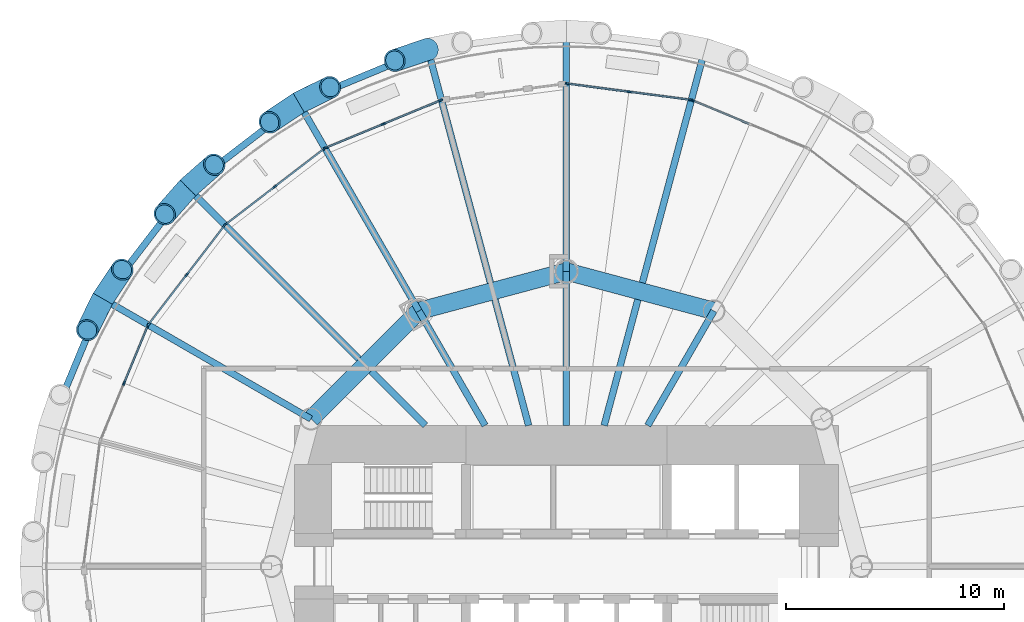
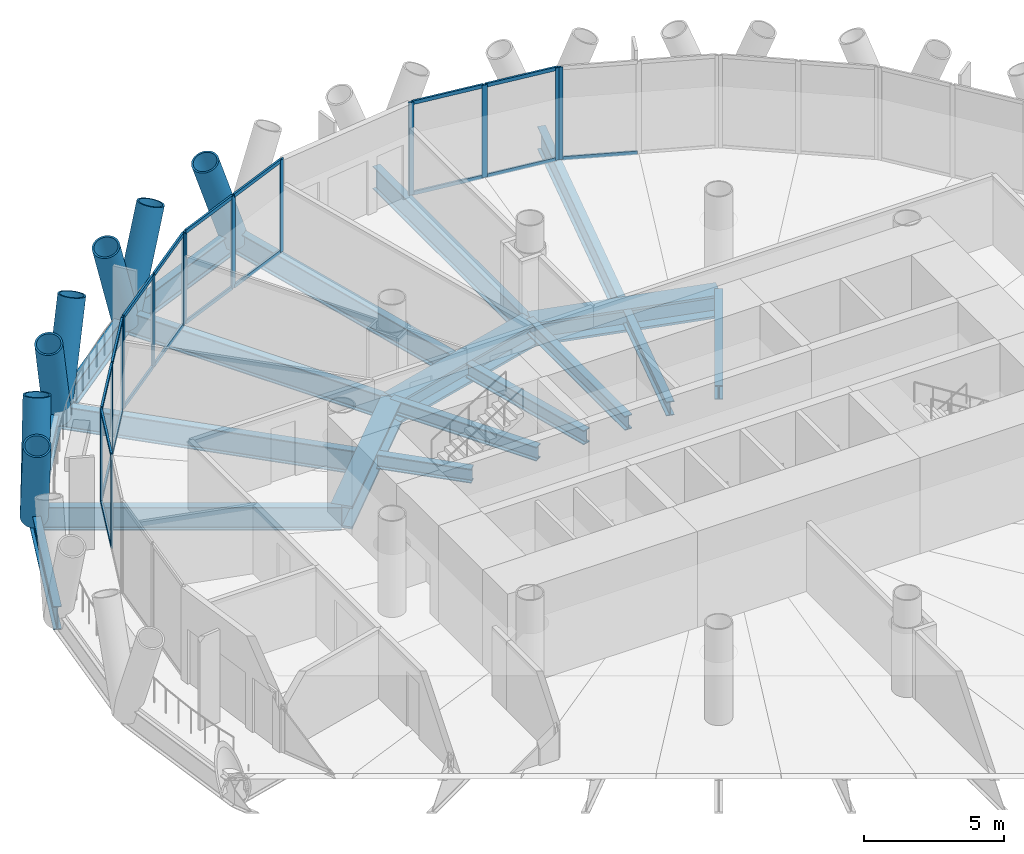
# One storey, part 5 of 15: 41 members, 19 beams, 6 elements without a shape of their own.
"""IFC4 building model written with IfcOpenShell, lengths in metres."""

from ifc_helpers import new_model, si_unit, direction, frame, origin, origin_2d, place, context, subcontext, project, spatial, rectangle, hollow_circle, i_section, extrude, material, material_profile, profile_set, type_object, element, aggregate, save


model = new_model("IFC4")

# Units and contexts
model_context = context("Model", 3, precision=1e-05, world=origin(), true_north=direction((0.0, 1.0)))
body_context = subcontext(model_context, "Body", "Model", "MODEL_VIEW")
ifc_project = project(units=[si_unit("LENGTHUNIT", "METRE"), si_unit("AREAUNIT", "SQUARE_METRE"), si_unit("VOLUMEUNIT", "CUBIC_METRE"), si_unit("PLANEANGLEUNIT", "RADIAN"), si_unit("MASSUNIT", "GRAM", prefix="KILO")], contexts=[model_context])

# Site, building, storey
site_placement = place(None, origin())
site = spatial("IfcSite", under=ifc_project, at=site_placement, CompositionType="ELEMENT")
building_placement = place(site_placement, origin())
building = spatial("IfcBuilding", under=site, at=building_placement, Name="Qaws Media Tower", CompositionType="ELEMENT")
storey_placement = place(building_placement, frame((0.0, 0.0, 177.199951171875)))
storey = spatial("IfcBuildingStorey", under=building, at=storey_placement, Name="L40", CompositionType="ELEMENT", Elevation=177.199951171875)

# Curtain wall, member
ifc_material_1 = material(Name="Aluminium and clear glass", Category="aluminium")
curtain_wall_type = type_object("IfcCurtainWallType", Name="Unitised curtain wall CW-B", PredefinedType="NOTDEFINED", material=ifc_material_1)
curtain_wall_1_placement = place(storey_placement, origin())
curtain_wall_1 = element("IfcCurtainWall", 1, at=curtain_wall_1_placement, inside=storey, type_object=curtain_wall_type, Name="CWB curtain wall L40-05", PredefinedType="NOTDEFINED")
ifc_material_2 = material(Name="Aluminium mullion", Category="aluminium")
ifc_material_profile_1 = material_profile(ifc_material_2, rectangle(XDim=0.080078125, YDim=0.199951171875, at=origin_2d()), Name="80x200")
ifc_profile_set_1 = profile_set([ifc_material_profile_1], Name="Aluminium mullion")
member_type_1 = type_object("IfcMemberType", Name="Curtain wall mullion 80x200", PredefinedType="MULLION", material=ifc_profile_set_1)
member_1_placement = place(storey_placement, frame((65.7568359375, 71.33154296875, 0.0), z_axis=(0.0, 0.0, 1.0), x_axis=(-0.382683536724, -0.923879489284, 0.0)))
member_1 = element("IfcMember", 2, at=member_1_placement, type_object=member_type_1, Name="CWB mullion 3", PredefinedType="MULLION", context=body_context, shape_type="SweptSolid", body=[
    extrude(rectangle(XDim=0.080078125, YDim=0.199951171875, at=origin_2d()), origin(), (0.0, 0.0, 1.0), 4.0400390625),
])

# Curtain wall, members
curtain_wall_2_placement = place(storey_placement, origin())
curtain_wall_2 = element("IfcCurtainWall", 3, at=curtain_wall_2_placement, inside=storey, type_object=curtain_wall_type, Name="CWB curtain wall L40-06", PredefinedType="NOTDEFINED")
member_2_placement = place(storey_placement, frame((65.68017578125, 71.352294921875, 0.0), z_axis=(0.0, 0.0, 1.0), x_axis=(-0.130526149185, -0.991444867039, 0.0)))
member_2 = element("IfcMember", 4, at=member_2_placement, type_object=member_type_1, Name="CWB mullion 1", PredefinedType="MULLION", context=body_context, shape_type="SweptSolid", body=[
    extrude(rectangle(XDim=0.080078125, YDim=0.199951171875, at=origin_2d()), origin(), (0.0, 0.0, 1.0), 4.0400390625),
])
member_3_placement = place(storey_placement, frame((62.85986328125, 71.723388671875, 0.0), z_axis=(0.0, 0.0, 1.0), x_axis=(-0.130526149185, -0.991444867039, 0.0)))
member_3 = element("IfcMember", 5, at=member_3_placement, type_object=member_type_1, Name="CWB mullion 2", PredefinedType="MULLION", context=body_context, shape_type="SweptSolid", body=[
    extrude(rectangle(XDim=0.080078125, YDim=0.199951171875, at=origin_2d()), origin(), (0.0, 0.0, 1.0), 4.0400390625),
])
member_4_placement = place(storey_placement, frame((60.03955078125, 72.0947265625, 0.0), z_axis=(0.0, 0.0, 1.0), x_axis=(-0.130526149185, -0.991444867039, 0.0)))
member_4 = element("IfcMember", 6, at=member_4_placement, type_object=member_type_1, Name="CWB mullion 3", PredefinedType="MULLION", context=body_context, shape_type="SweptSolid", body=[
    extrude(rectangle(XDim=0.080078125, YDim=0.199951171875, at=origin_2d()), origin(), (0.0, 0.0, 1.0), 4.0400390625),
])

curtain_wall_3_placement = place(storey_placement, origin())
curtain_wall_3 = element("IfcCurtainWall", 7, at=curtain_wall_3_placement, inside=storey, type_object=curtain_wall_type, Name="CWB curtain wall L40-08", PredefinedType="NOTDEFINED")
member_5_placement = place(storey_placement, frame((54.2431640625, 71.33154296875, 0.0), z_axis=(0.0, 0.0, 1.0), x_axis=(0.382683536724, -0.923879489284, 0.0)))
member_5 = element("IfcMember", 8, at=member_5_placement, type_object=member_type_1, Name="CWB mullion 1", PredefinedType="MULLION", context=body_context, shape_type="SweptSolid", body=[
    extrude(rectangle(XDim=0.080078125, YDim=0.199951171875, at=origin_2d()), origin(), (0.0, 0.0, 1.0), 4.0400390625),
])
member_6_placement = place(storey_placement, frame((51.614990234375, 70.2431640625, 0.0), z_axis=(0.0, 0.0, 1.0), x_axis=(0.382683536724, -0.923879489284, 0.0)))
member_6 = element("IfcMember", 9, at=member_6_placement, type_object=member_type_1, Name="CWB mullion 2", PredefinedType="MULLION", context=body_context, shape_type="SweptSolid", body=[
    extrude(rectangle(XDim=0.080078125, YDim=0.199951171875, at=origin_2d()), origin(), (0.0, 0.0, 1.0), 4.0400390625),
])
member_7_placement = place(storey_placement, frame((48.987060546875, 69.154541015625, 0.0), z_axis=(0.0, 0.0, 1.0), x_axis=(0.382683536724, -0.923879489284, 0.0)))
member_7 = element("IfcMember", 10, at=member_7_placement, type_object=member_type_1, Name="CWB mullion 3", PredefinedType="MULLION", context=body_context, shape_type="SweptSolid", body=[
    extrude(rectangle(XDim=0.080078125, YDim=0.199951171875, at=origin_2d()), origin(), (0.0, 0.0, 1.0), 4.0400390625),
])

curtain_wall_4_placement = place(storey_placement, origin())
curtain_wall_4 = element("IfcCurtainWall", 11, at=curtain_wall_4_placement, inside=storey, type_object=curtain_wall_type, Name="CWB curtain wall L40-09", PredefinedType="NOTDEFINED")
member_8_placement = place(storey_placement, frame((48.918212890625, 69.11474609375, 0.0), z_axis=(0.0, 0.0, 1.0), x_axis=(0.608761356619, -0.793353395838, 0.0)))
member_8 = element("IfcMember", 12, at=member_8_placement, type_object=member_type_1, Name="CWB mullion 1", PredefinedType="MULLION", context=body_context, shape_type="SweptSolid", body=[
    extrude(rectangle(XDim=0.080078125, YDim=0.199951171875, at=origin_2d()), origin(), (0.0, 0.0, 1.0), 4.0400390625),
])
member_9_placement = place(storey_placement, frame((46.661376953125, 67.383056640625, 0.0), z_axis=(0.0, 0.0, 1.0), x_axis=(0.608761356619, -0.793353395838, 0.0)))
member_9 = element("IfcMember", 13, at=member_9_placement, type_object=member_type_1, Name="CWB mullion 2", PredefinedType="MULLION", context=body_context, shape_type="SweptSolid", body=[
    extrude(rectangle(XDim=0.080078125, YDim=0.199951171875, at=origin_2d()), origin(), (0.0, 0.0, 1.0), 4.0400390625),
])
member_10_placement = place(storey_placement, frame((44.40478515625, 65.6513671875, 0.0), z_axis=(0.0, 0.0, 1.0), x_axis=(0.608761356619, -0.793353395838, 0.0)))
member_10 = element("IfcMember", 14, at=member_10_placement, type_object=member_type_1, Name="CWB mullion 3", PredefinedType="MULLION", context=body_context, shape_type="SweptSolid", body=[
    extrude(rectangle(XDim=0.080078125, YDim=0.199951171875, at=origin_2d()), origin(), (0.0, 0.0, 1.0), 4.0400390625),
])

curtain_wall_5_placement = place(storey_placement, origin())
curtain_wall_5 = element("IfcCurtainWall", 15, at=curtain_wall_5_placement, inside=storey, type_object=curtain_wall_type, Name="CWB curtain wall L40-10", PredefinedType="NOTDEFINED")
member_11_placement = place(storey_placement, frame((44.3486328125, 65.59521484375, 0.0), z_axis=(0.0, 0.0, 1.0), x_axis=(0.793353395838, -0.608761356619, 0.0)))
member_11 = element("IfcMember", 16, at=member_11_placement, type_object=member_type_1, Name="CWB mullion 1", PredefinedType="MULLION", context=body_context, shape_type="SweptSolid", body=[
    extrude(rectangle(XDim=0.080078125, YDim=0.199951171875, at=origin_2d()), origin(), (0.0, 0.0, 1.0), 4.0400390625),
])
member_12_placement = place(storey_placement, frame((42.616943359375, 63.338623046875, 0.0), z_axis=(0.0, 0.0, 1.0), x_axis=(0.793353395838, -0.608761356619, 0.0)))
member_12 = element("IfcMember", 17, at=member_12_placement, type_object=member_type_1, Name="CWB mullion 2", PredefinedType="MULLION", context=body_context, shape_type="SweptSolid", body=[
    extrude(rectangle(XDim=0.080078125, YDim=0.199951171875, at=origin_2d()), origin(), (0.0, 0.0, 1.0), 4.0400390625),
])
member_13_placement = place(storey_placement, frame((40.88525390625, 61.081787109375, 0.0), z_axis=(0.0, 0.0, 1.0), x_axis=(0.793353395838, -0.608761356619, 0.0)))
member_13 = element("IfcMember", 18, at=member_13_placement, type_object=member_type_1, Name="CWB mullion 3", PredefinedType="MULLION", context=body_context, shape_type="SweptSolid", body=[
    extrude(rectangle(XDim=0.080078125, YDim=0.199951171875, at=origin_2d()), origin(), (0.0, 0.0, 1.0), 4.0400390625),
])

curtain_wall_6_placement = place(storey_placement, origin())
curtain_wall_6 = element("IfcCurtainWall", 19, at=curtain_wall_6_placement, inside=storey, type_object=curtain_wall_type, Name="CWB curtain wall L40-11", PredefinedType="NOTDEFINED")
member_14_placement = place(storey_placement, frame((40.845458984375, 61.012939453125, 0.0), z_axis=(0.0, 0.0, 1.0), x_axis=(0.923879489284, -0.382683536724, 0.0)))
member_14 = element("IfcMember", 20, at=member_14_placement, type_object=member_type_1, Name="CWB mullion 1", PredefinedType="MULLION", context=body_context, shape_type="SweptSolid", body=[
    extrude(rectangle(XDim=0.080078125, YDim=0.199951171875, at=origin_2d()), origin(), (0.0, 0.0, 1.0), 4.0400390625),
])
member_15_placement = place(storey_placement, frame((39.7568359375, 58.385009765625, 0.0), z_axis=(0.0, 0.0, 1.0), x_axis=(0.923879489284, -0.382683536724, 0.0)))
member_15 = element("IfcMember", 21, at=member_15_placement, type_object=member_type_1, Name="CWB mullion 2", PredefinedType="MULLION", context=body_context, shape_type="SweptSolid", body=[
    extrude(rectangle(XDim=0.080078125, YDim=0.199951171875, at=origin_2d()), origin(), (0.0, 0.0, 1.0), 4.0400390625),
])

# Member
ifc_material_3 = material(Name="Aluminium transom", Category="aluminium")
ifc_material_profile_2 = material_profile(ifc_material_3, rectangle(XDim=0.080078125, YDim=0.159912109375, at=origin_2d()), Name="80x160")
ifc_profile_set_2 = profile_set([ifc_material_profile_2], Name="Aluminium transom")
member_type_2 = type_object("IfcMemberType", Name="Curtain wall transom 80x160", PredefinedType="USERDEFINED", material=ifc_profile_set_2)
member_16_placement = place(storey_placement, frame((68.347900390625, 70.25830078125, 0.0400390625), z_axis=(-0.923863992677, 0.382720946689, 0.0), x_axis=(-0.382720946689, -0.923863992677, 0.0)))
member_16 = element("IfcMember", 22, at=member_16_placement, type_object=member_type_2, Name="CWB transom 2.1", ObjectType="TRANSOM", PredefinedType="USERDEFINED", context=body_context, shape_type="SweptSolid", body=[
    extrude(rectangle(XDim=0.080078125, YDim=0.159912109375, at=origin_2d()), origin(), (0.0, 0.0, 1.0), 2.7646484375),
])

aggregate(curtain_wall_1, [member_1, member_16])

member_17_placement = place(storey_placement, frame((65.640625, 71.357421875, 0.0400390625), z_axis=(-0.991445576644, 0.130520759088, 0.0), x_axis=(-0.130520759088, -0.991445576644, 0.0)))
member_17 = element("IfcMember", 23, at=member_17_placement, type_object=member_type_2, Name="CWB transom 1.1", ObjectType="TRANSOM", PredefinedType="USERDEFINED", context=body_context, shape_type="SweptSolid", body=[
    extrude(rectangle(XDim=0.080078125, YDim=0.159912109375, at=origin_2d()), origin(), (0.0, 0.0, 1.0), 2.7646484375),
])

member_18_placement = place(storey_placement, frame((65.640625, 71.357421875, 4.0), z_axis=(-0.991445576644, 0.130520759088, 0.0), x_axis=(-0.130520759088, -0.991445576644, 0.0)))
member_18 = element("IfcMember", 24, at=member_18_placement, type_object=member_type_2, Name="CWB transom 1.2", ObjectType="TRANSOM", PredefinedType="USERDEFINED", context=body_context, shape_type="SweptSolid", body=[
    extrude(rectangle(XDim=0.080078125, YDim=0.159912109375, at=origin_2d()), origin(), (0.0, 0.0, 1.0), 2.7646484375),
])

member_19_placement = place(storey_placement, frame((62.8203125, 71.728759765625, 0.0400390625), z_axis=(-0.991445576644, 0.130520759088, 0.0), x_axis=(-0.130520759088, -0.991445576644, 0.0)))
member_19 = element("IfcMember", 25, at=member_19_placement, type_object=member_type_2, Name="CWB transom 2.1", ObjectType="TRANSOM", PredefinedType="USERDEFINED", context=body_context, shape_type="SweptSolid", body=[
    extrude(rectangle(XDim=0.080078125, YDim=0.159912109375, at=origin_2d()), origin(), (0.0, 0.0, 1.0), 2.7646484375),
])

member_20_placement = place(storey_placement, frame((62.8203125, 71.728759765625, 4.0), z_axis=(-0.991445576644, 0.130520759088, 0.0), x_axis=(-0.130520759088, -0.991445576644, 0.0)))
member_20 = element("IfcMember", 26, at=member_20_placement, type_object=member_type_2, Name="CWB transom 2.2", ObjectType="TRANSOM", PredefinedType="USERDEFINED", context=body_context, shape_type="SweptSolid", body=[
    extrude(rectangle(XDim=0.080078125, YDim=0.159912109375, at=origin_2d()), origin(), (0.0, 0.0, 1.0), 2.7646484375),
])

aggregate(curtain_wall_2, [member_2, member_3, member_4, member_17, member_18, member_19, member_20])

member_21_placement = place(storey_placement, frame((54.206298828125, 71.31640625, 0.0400390625), z_axis=(-0.923863992677, -0.382720946689, 0.0), x_axis=(0.382720946689, -0.923863992677, 0.0)))
member_21 = element("IfcMember", 27, at=member_21_placement, type_object=member_type_2, Name="CWB transom 1.1", ObjectType="TRANSOM", PredefinedType="USERDEFINED", context=body_context, shape_type="SweptSolid", body=[
    extrude(rectangle(XDim=0.080078125, YDim=0.159912109375, at=origin_2d()), origin(), (0.0, 0.0, 1.0), 2.7646484375),
])

member_22_placement = place(storey_placement, frame((54.206298828125, 71.31640625, 4.0), z_axis=(-0.923863992677, -0.382720946689, 0.0), x_axis=(0.382720946689, -0.923863992677, 0.0)))
member_22 = element("IfcMember", 28, at=member_22_placement, type_object=member_type_2, Name="CWB transom 1.2", ObjectType="TRANSOM", PredefinedType="USERDEFINED", context=body_context, shape_type="SweptSolid", body=[
    extrude(rectangle(XDim=0.080078125, YDim=0.159912109375, at=origin_2d()), origin(), (0.0, 0.0, 1.0), 2.7646484375),
])

member_23_placement = place(storey_placement, frame((51.578125, 70.227783203125, 0.0400390625), z_axis=(-0.923863992677, -0.382720946689, 0.0), x_axis=(0.382720946689, -0.923863992677, 0.0)))
member_23 = element("IfcMember", 29, at=member_23_placement, type_object=member_type_2, Name="CWB transom 2.1", ObjectType="TRANSOM", PredefinedType="USERDEFINED", context=body_context, shape_type="SweptSolid", body=[
    extrude(rectangle(XDim=0.080078125, YDim=0.159912109375, at=origin_2d()), origin(), (0.0, 0.0, 1.0), 2.7646484375),
])

member_24_placement = place(storey_placement, frame((51.578125, 70.227783203125, 4.0), z_axis=(-0.923863992677, -0.382720946689, 0.0), x_axis=(0.382720946689, -0.923863992677, 0.0)))
member_24 = element("IfcMember", 30, at=member_24_placement, type_object=member_type_2, Name="CWB transom 2.2", ObjectType="TRANSOM", PredefinedType="USERDEFINED", context=body_context, shape_type="SweptSolid", body=[
    extrude(rectangle(XDim=0.080078125, YDim=0.159912109375, at=origin_2d()), origin(), (0.0, 0.0, 1.0), 2.7646484375),
])

aggregate(curtain_wall_3, [member_5, member_6, member_7, member_21, member_22, member_23, member_24])

member_25_placement = place(storey_placement, frame((48.886474609375, 69.090576171875, 0.0400390625), z_axis=(-0.793339081003, -0.608780011624, 0.0), x_axis=(0.608780011624, -0.793339081003, 0.0)))
member_25 = element("IfcMember", 31, at=member_25_placement, type_object=member_type_2, Name="CWB transom 1.1", ObjectType="TRANSOM", PredefinedType="USERDEFINED", context=body_context, shape_type="SweptSolid", body=[
    extrude(rectangle(XDim=0.080078125, YDim=0.159912109375, at=origin_2d()), origin(), (0.0, 0.0, 1.0), 2.7646484375),
])

member_26_placement = place(storey_placement, frame((48.886474609375, 69.090576171875, 4.0), z_axis=(-0.793339081003, -0.608780011624, 0.0), x_axis=(0.608780011624, -0.793339081003, 0.0)))
member_26 = element("IfcMember", 32, at=member_26_placement, type_object=member_type_2, Name="CWB transom 1.2", ObjectType="TRANSOM", PredefinedType="USERDEFINED", context=body_context, shape_type="SweptSolid", body=[
    extrude(rectangle(XDim=0.080078125, YDim=0.159912109375, at=origin_2d()), origin(), (0.0, 0.0, 1.0), 2.7646484375),
])

member_27_placement = place(storey_placement, frame((46.629638671875, 67.358642578125, 0.0400390625), z_axis=(-0.793349003798, -0.608767080394, 0.0), x_axis=(0.608767080394, -0.793349003798, 0.0)))
member_27 = element("IfcMember", 33, at=member_27_placement, type_object=member_type_2, Name="CWB transom 2.1", ObjectType="TRANSOM", PredefinedType="USERDEFINED", context=body_context, shape_type="SweptSolid", body=[
    extrude(rectangle(XDim=0.080078125, YDim=0.159912109375, at=origin_2d()), origin(), (0.0, 0.0, 1.0), 2.764404296875),
])

member_28_placement = place(storey_placement, frame((46.629638671875, 67.358642578125, 4.0), z_axis=(-0.793349003798, -0.608767080394, 0.0), x_axis=(0.608767080394, -0.793349003798, 0.0)))
member_28 = element("IfcMember", 34, at=member_28_placement, type_object=member_type_2, Name="CWB transom 2.2", ObjectType="TRANSOM", PredefinedType="USERDEFINED", context=body_context, shape_type="SweptSolid", body=[
    extrude(rectangle(XDim=0.080078125, YDim=0.159912109375, at=origin_2d()), origin(), (0.0, 0.0, 1.0), 2.764404296875),
])

aggregate(curtain_wall_4, [member_8, member_9, member_10, member_25, member_26, member_27, member_28])

member_29_placement = place(storey_placement, frame((44.32421875, 65.5634765625, 0.0400390625), z_axis=(-0.608767080394, -0.793349003798, 0.0), x_axis=(0.793349003798, -0.608767080394, 0.0)))
member_29 = element("IfcMember", 35, at=member_29_placement, type_object=member_type_2, Name="CWB transom 1.1", ObjectType="TRANSOM", PredefinedType="USERDEFINED", context=body_context, shape_type="SweptSolid", body=[
    extrude(rectangle(XDim=0.080078125, YDim=0.159912109375, at=origin_2d()), origin(), (0.0, 0.0, 1.0), 2.764404296875),
])

member_30_placement = place(storey_placement, frame((44.32421875, 65.5634765625, 4.0), z_axis=(-0.608767080394, -0.793349003798, 0.0), x_axis=(0.793349003798, -0.608767080394, 0.0)))
member_30 = element("IfcMember", 36, at=member_30_placement, type_object=member_type_2, Name="CWB transom 1.2", ObjectType="TRANSOM", PredefinedType="USERDEFINED", context=body_context, shape_type="SweptSolid", body=[
    extrude(rectangle(XDim=0.080078125, YDim=0.159912109375, at=origin_2d()), origin(), (0.0, 0.0, 1.0), 2.764404296875),
])

member_31_placement = place(storey_placement, frame((42.592529296875, 63.306884765625, 0.0400390625), z_axis=(-0.608780011624, -0.793339081003, 0.0), x_axis=(0.793339081003, -0.608780011624, 0.0)))
member_31 = element("IfcMember", 37, at=member_31_placement, type_object=member_type_2, Name="CWB transom 2.1", ObjectType="TRANSOM", PredefinedType="USERDEFINED", context=body_context, shape_type="SweptSolid", body=[
    extrude(rectangle(XDim=0.080078125, YDim=0.159912109375, at=origin_2d()), origin(), (0.0, 0.0, 1.0), 2.7646484375),
])

member_32_placement = place(storey_placement, frame((42.592529296875, 63.306884765625, 4.0), z_axis=(-0.608780011624, -0.793339081003, 0.0), x_axis=(0.793339081003, -0.608780011624, 0.0)))
member_32 = element("IfcMember", 38, at=member_32_placement, type_object=member_type_2, Name="CWB transom 2.2", ObjectType="TRANSOM", PredefinedType="USERDEFINED", context=body_context, shape_type="SweptSolid", body=[
    extrude(rectangle(XDim=0.080078125, YDim=0.159912109375, at=origin_2d()), origin(), (0.0, 0.0, 1.0), 2.7646484375),
])

aggregate(curtain_wall_5, [member_11, member_12, member_13, member_29, member_30, member_31, member_32])

member_33_placement = place(storey_placement, frame((40.830322265625, 60.97607421875, 0.0400390625), z_axis=(-0.382720946689, -0.923863992677, 0.0), x_axis=(0.923863992677, -0.382720946689, 0.0)))
member_33 = element("IfcMember", 39, at=member_33_placement, type_object=member_type_2, Name="CWB transom 1.1", ObjectType="TRANSOM", PredefinedType="USERDEFINED", context=body_context, shape_type="SweptSolid", body=[
    extrude(rectangle(XDim=0.080078125, YDim=0.159912109375, at=origin_2d()), origin(), (0.0, 0.0, 1.0), 2.7646484375),
])

member_34_placement = place(storey_placement, frame((40.830322265625, 60.97607421875, 4.0), z_axis=(-0.382720946689, -0.923863992677, 0.0), x_axis=(0.923863992677, -0.382720946689, 0.0)))
member_34 = element("IfcMember", 40, at=member_34_placement, type_object=member_type_2, Name="CWB transom 1.2", ObjectType="TRANSOM", PredefinedType="USERDEFINED", context=body_context, shape_type="SweptSolid", body=[
    extrude(rectangle(XDim=0.080078125, YDim=0.159912109375, at=origin_2d()), origin(), (0.0, 0.0, 1.0), 2.7646484375),
])

aggregate(curtain_wall_6, [member_14, member_15, member_33, member_34])

# Members
ifc_material_4 = material(Name="Steel S460", Category="steel")
ifc_material_profile_3 = material_profile(ifc_material_4, hollow_circle(Radius=0.508056640625, WallThickness=0.070068359375, at=origin_2d()), Name="CHS 1016x70")
ifc_profile_set_3 = profile_set([ifc_material_profile_3], Name="Steel S460")
member_type_3 = type_object("IfcMemberType", Name="Diagrid member CHS 1016x70", PredefinedType="USERDEFINED", material=ifc_profile_set_3)
member_35_placement = place(storey_placement, frame((53.658935546875, 73.665283203125, -0.6640625), z_axis=(-0.33768784042, -0.114101343313, 0.93431675886), x_axis=(0.320110317881, -0.947380274434, 0.0)))
element("IfcMember", 41, at=member_35_placement, inside=storey, type_object=member_type_3, Name="DG3 diagrid L40 A08", ObjectType="DIAGRID", PredefinedType="USERDEFINED", context=body_context, shape_type="SweptSolid", body=[
    extrude(hollow_circle(Radius=0.508056640625, WallThickness=0.070068359375, at=origin_2d()), origin(), (0.0, 0.0, 1.0), 4.495361328125),
])
member_36_placement = place(storey_placement, frame((47.75, 71.217529296875, -0.6640625), z_axis=(-0.296684477333, -0.197572419648, 0.934314433103), x_axis=(0.554278210596, -0.832331463576, 0.0)))
element("IfcMember", 42, at=member_36_placement, inside=storey, type_object=member_type_3, Name="DG3 diagrid L40 A09", ObjectType="DIAGRID", PredefinedType="USERDEFINED", context=body_context, shape_type="SweptSolid", body=[
    extrude(hollow_circle(Radius=0.508056640625, WallThickness=0.070068359375, at=origin_2d()), origin(), (0.0, 0.0, 1.0), 4.49560546875),
])
for number, where, z_axis, x_axis, name in (
    (43, (47.75, 71.217529296875, -0.6640625), (0.319440341639, 0.158145235439, 0.934316837396), (-0.44367532717, 0.896187594235, 0.0), "DG3 diagrid L40 B09"),
    (44, (42.67578125, 67.32421875, -0.6640625), (-0.235425775232, -0.267630500655, 0.934317194252), (0.750837426226, -0.660487062234, 0.0), "DG3 diagrid L40 A10"),
    (45, (42.67578125, 67.32421875, -0.6640625), (0.267630500655, 0.235425775232, 0.934317194252), (-0.660487062234, 0.750837426226, 0.0), "DG3 diagrid L40 B10"),
    (46, (38.782470703125, 62.25, -0.6640625), (-0.158145235439, -0.319440341639, 0.934316837396), (0.896187594235, -0.44367532717, 0.0), "DG3 diagrid L40 A11"),
):
    element("IfcMember", number, at=place(storey_placement, frame(where, z_axis=z_axis, x_axis=x_axis)), inside=storey, type_object=member_type_3, Name=name, ObjectType="DIAGRID", PredefinedType="USERDEFINED", context=body_context, shape_type="SweptSolid", body=[
        extrude(hollow_circle(Radius=0.508056640625, WallThickness=0.070068359375, at=origin_2d()), origin(), (0.0, 0.0, 1.0), 4.495361328125),
    ])
member_37_placement = place(storey_placement, frame((38.782470703125, 62.25, -0.6640625), z_axis=(0.197572419648, 0.296684477333, 0.934314433103), x_axis=(-0.832331463576, 0.554278210596, 0.0)))
element("IfcMember", 47, at=member_37_placement, inside=storey, type_object=member_type_3, Name="DG3 diagrid L40 B11", ObjectType="DIAGRID", PredefinedType="USERDEFINED", context=body_context, shape_type="SweptSolid", body=[
    extrude(hollow_circle(Radius=0.508056640625, WallThickness=0.070068359375, at=origin_2d()), origin(), (0.0, 0.0, 1.0), 4.49560546875),
])

# Beams
ifc_material_5 = material(Name="Steel S460", Category="steel")
ifc_material_profile_4 = material_profile(ifc_material_5, i_section(OverallWidth=0.302001953125, OverallDepth=1.008056640625, WebThickness=0.02099609375, FlangeThickness=0.0400390625, FilletRadius=0.030029296875, at=origin_2d()), Name="HE 1000 M")
ifc_profile_set_4 = profile_set([ifc_material_profile_4], Name="Steel S460")
beam_type_1 = type_object("IfcBeamType", Name="Edge ring beam HE 1000 M", PredefinedType="BEAM", material=ifc_profile_set_4)
for number, where, z_axis, x_axis, name in (
    (48, (53.658935546875, 73.665283203125, -0.6640625), (-0.923868882006, -0.382709143949, 0.0), (0.382709143949, -0.923868882006, 0.0), "RB3 edge ring beam L40-08"),
    (49, (47.75, 71.217529296875, -0.6640625), (-0.79337406388, -0.60873442055, 0.0), (0.60873442055, -0.79337406388, 0.0), "RB3 edge ring beam L40-09"),
    (50, (42.67578125, 67.32421875, -0.6640625), (-0.60873442055, -0.79337406388, 0.0), (0.79337406388, -0.60873442055, 0.0), "RB3 edge ring beam L40-10"),
    (51, (38.782470703125, 62.25, -0.6640625), (-0.382709143949, -0.923868882006, 0.0), (0.923868882006, -0.382709143949, 0.0), "RB3 edge ring beam L40-11"),
):
    element("IfcBeam", number, at=place(storey_placement, frame(where, z_axis=z_axis, x_axis=x_axis)), inside=storey, type_object=beam_type_1, Name=name, PredefinedType="BEAM", context=body_context, shape_type="SweptSolid", body=[
        extrude(i_section(OverallWidth=0.302001953125, OverallDepth=1.008056640625, WebThickness=0.02099609375, FlangeThickness=0.0400390625, FilletRadius=0.030029296875, at=origin_2d()), origin(), (0.0, 0.0, 1.0), 6.395751953125),
    ])
ifc_material_6 = material(Name="Steel S460", Category="steel")
ifc_material_profile_5 = material_profile(ifc_material_6, i_section(OverallWidth=0.800048828125, OverallDepth=1.0, WebThickness=0.0400390625, FlangeThickness=0.10009765625, at=origin_2d()), Name="PG 1000x800")
ifc_profile_set_5 = profile_set([ifc_material_profile_5], Name="Steel S460")
beam_type_2 = type_object("IfcBeamType", Name="Inner ring girder PG 1000x800", PredefinedType="BEAM", material=ifc_profile_set_5)
for number, where, z_axis, x_axis, name in (
    (52, (66.75, 61.69140625, -0.659912109375), (-0.965928090778, 0.258810593767, 0.0), (-0.258810593767, -0.965928090778, 0.0), "B3 inner ring beam L40 I03-I04"),
    (53, (60.0, 63.5, -0.659912109375), (-0.965928090778, -0.258810593767, 0.0), (0.258810593767, -0.965928090778, 0.0), "B3 inner ring beam L40 I04-I05"),
):
    element("IfcBeam", number, at=place(storey_placement, frame(where, z_axis=z_axis, x_axis=x_axis)), inside=storey, type_object=beam_type_2, Name=name, PredefinedType="BEAM", context=body_context, shape_type="SweptSolid", body=[
        extrude(i_section(OverallWidth=0.800048828125, OverallDepth=1.0, WebThickness=0.0400390625, FlangeThickness=0.10009765625, at=origin_2d()), origin(), (0.0, 0.0, 1.0), 6.988037109375),
    ])
beam_1_placement = place(storey_placement, frame((53.25, 61.69140625, -0.659912109375), z_axis=(-0.707106781187, -0.707106781187, 0.0), x_axis=(0.707106781187, -0.707106781187, 0.0)))
element("IfcBeam", 54, at=beam_1_placement, inside=storey, type_object=beam_type_2, Name="B3 inner ring beam L40 I05-I06", PredefinedType="BEAM", context=body_context, shape_type="SweptSolid", body=[
    extrude(i_section(OverallWidth=0.800048828125, OverallDepth=1.0, WebThickness=0.0400390625, FlangeThickness=0.10009765625, at=origin_2d()), origin(), (0.0, 0.0, 1.0), 6.98828125),
])
ifc_material_7 = material(Name="Steel S355", Category="steel")
ifc_material_profile_6 = material_profile(ifc_material_7, i_section(OverallWidth=0.302001953125, OverallDepth=1.008056640625, WebThickness=0.02099609375, FlangeThickness=0.0400390625, FilletRadius=0.030029296875, at=origin_2d()), Name="HE 1000 M")
ifc_profile_set_6 = profile_set([ifc_material_profile_6], Name="Steel S355")
beam_type_3 = type_object("IfcBeamType", Name="Radial beam HE 1000 M", PredefinedType="BEAM", material=ifc_profile_set_6)
beam_2_placement = place(storey_placement, frame((63.478515625, 62.98193359375, -0.6640625), z_axis=(0.258815158562, 0.965926867676, 0.0), x_axis=(-0.965926867676, 0.258815158562, 0.0)))
element("IfcBeam", 55, at=beam_2_placement, inside=storey, type_object=beam_type_3, Name="B1 radial beam L40 06", PredefinedType="BEAM", context=body_context, shape_type="SweptSolid", body=[
    extrude(i_section(OverallWidth=0.302001953125, OverallDepth=1.008056640625, WebThickness=0.02099609375, FlangeThickness=0.0400390625, FilletRadius=0.030029296875, at=origin_2d()), origin(), (0.0, 0.0, 1.0), 11.060302734375),
])
beam_3_placement = place(storey_placement, frame((60.0, 63.5, -0.6640625), z_axis=(0.0, 1.0, 0.0), x_axis=(-1.0, 0.0, 0.0)))
element("IfcBeam", 56, at=beam_3_placement, inside=storey, type_object=beam_type_3, Name="B1 radial beam L40 07", PredefinedType="BEAM", context=body_context, shape_type="SweptSolid", body=[
    extrude(i_section(OverallWidth=0.302001953125, OverallDepth=1.008056640625, WebThickness=0.02099609375, FlangeThickness=0.0400390625, FilletRadius=0.030029296875, at=origin_2d()), origin(), (0.0, 0.0, 1.0), 11.0),
])
beam_4_placement = place(storey_placement, frame((56.521484375, 62.98193359375, -0.6640625), z_axis=(-0.258815158562, 0.965926867676, 0.0), x_axis=(-0.965926867676, -0.258815158562, 0.0)))
element("IfcBeam", 57, at=beam_4_placement, inside=storey, type_object=beam_type_3, Name="B1 radial beam L40 08", PredefinedType="BEAM", context=body_context, shape_type="SweptSolid", body=[
    extrude(i_section(OverallWidth=0.302001953125, OverallDepth=1.008056640625, WebThickness=0.02099609375, FlangeThickness=0.0400390625, FilletRadius=0.030029296875, at=origin_2d()), origin(), (0.0, 0.0, 1.0), 11.060302734375),
])
beam_5_placement = place(storey_placement, frame((53.25, 61.69140625, -0.6640625), z_axis=(-0.50000615651, 0.866021849293, 0.0), x_axis=(-0.866021849293, -0.50000615651, 0.0)))
element("IfcBeam", 58, at=beam_5_placement, inside=storey, type_object=beam_type_3, Name="B1 radial beam L40 09", PredefinedType="BEAM", context=body_context, shape_type="SweptSolid", body=[
    extrude(i_section(OverallWidth=0.302001953125, OverallDepth=1.008056640625, WebThickness=0.02099609375, FlangeThickness=0.0400390625, FilletRadius=0.030029296875, at=origin_2d()), origin(), (0.0, 0.0, 1.0), 10.999755859375),
])
beam_6_placement = place(storey_placement, frame((50.49658203125, 59.50341796875, -0.6640625), z_axis=(-0.707106781187, 0.707106781187, 0.0), x_axis=(-0.707106781187, -0.707106781187, 0.0)))
element("IfcBeam", 59, at=beam_6_placement, inside=storey, type_object=beam_type_3, Name="B1 radial beam L40 10", PredefinedType="BEAM", context=body_context, shape_type="SweptSolid", body=[
    extrude(i_section(OverallWidth=0.302001953125, OverallDepth=1.008056640625, WebThickness=0.02099609375, FlangeThickness=0.0400390625, FilletRadius=0.030029296875, at=origin_2d()), origin(), (0.0, 0.0, 1.0), 11.060302734375),
])
beam_7_placement = place(storey_placement, frame((48.30859375, 56.75, -0.6640625), z_axis=(-0.866021849293, 0.50000615651, 0.0), x_axis=(-0.50000615651, -0.866021849293, 0.0)))
element("IfcBeam", 60, at=beam_7_placement, inside=storey, type_object=beam_type_3, Name="B1 radial beam L40 11", PredefinedType="BEAM", context=body_context, shape_type="SweptSolid", body=[
    extrude(i_section(OverallWidth=0.302001953125, OverallDepth=1.008056640625, WebThickness=0.02099609375, FlangeThickness=0.0400390625, FilletRadius=0.030029296875, at=origin_2d()), origin(), (0.0, 0.0, 1.0), 10.999755859375),
])
ifc_material_8 = material(Name="Steel S355", Category="steel")
ifc_material_profile_7 = material_profile(ifc_material_8, i_section(OverallWidth=0.304931640625, OverallDepth=0.6201171875, WebThickness=0.02099609375, FlangeThickness=0.0400390625, FilletRadius=0.027099609375, at=origin_2d()), Name="HE 600 M")
ifc_profile_set_7 = profile_set([ifc_material_profile_7], Name="Steel S355")
beam_type_4 = type_object("IfcBeamType", Name="Radial beam HE 600 M, core side", PredefinedType="BEAM", material=ifc_profile_set_7)
beam_8_placement = place(storey_placement, frame((63.723876953125, 56.449951171875, -0.469970703125), z_axis=(0.499995978368, 0.866027725662, 0.0), x_axis=(-0.866027725662, 0.499995978368, 0.0)))
element("IfcBeam", 61, at=beam_8_placement, inside=storey, type_object=beam_type_4, Name="B2 radial beam L40 05", PredefinedType="BEAM", context=body_context, shape_type="SweptSolid", body=[
    extrude(i_section(OverallWidth=0.304931640625, OverallDepth=0.6201171875, WebThickness=0.02099609375, FlangeThickness=0.0400390625, FilletRadius=0.027099609375, at=origin_2d()), origin(), (0.0, 0.0, 1.0), 6.05224609375),
])
beam_9_placement = place(storey_placement, frame((61.728271484375, 56.449951171875, -0.469970703125), z_axis=(0.258822046006, 0.965925022194, 0.0), x_axis=(-0.965925022194, 0.258822046006, 0.0)))
element("IfcBeam", 62, at=beam_9_placement, inside=storey, type_object=beam_type_4, Name="B2 radial beam L40 06", PredefinedType="BEAM", context=body_context, shape_type="SweptSolid", body=[
    extrude(i_section(OverallWidth=0.304931640625, OverallDepth=0.6201171875, WebThickness=0.02099609375, FlangeThickness=0.0400390625, FilletRadius=0.027099609375, at=origin_2d()), origin(), (0.0, 0.0, 1.0), 5.96240234375),
])
beam_10_placement = place(storey_placement, frame((60.0, 56.449951171875, -0.469970703125), z_axis=(0.0, 1.0, 0.0), x_axis=(-1.0, 0.0, 0.0)))
element("IfcBeam", 63, at=beam_10_placement, inside=storey, type_object=beam_type_4, Name="B2 radial beam L40 07", PredefinedType="BEAM", context=body_context, shape_type="SweptSolid", body=[
    extrude(i_section(OverallWidth=0.304931640625, OverallDepth=0.6201171875, WebThickness=0.02099609375, FlangeThickness=0.0400390625, FilletRadius=0.027099609375, at=origin_2d()), origin(), (0.0, 0.0, 1.0), 7.050048828125),
])
beam_11_placement = place(storey_placement, frame((58.271728515625, 56.449951171875, -0.469970703125), z_axis=(-0.258822046006, 0.965925022194, 0.0), x_axis=(-0.965925022194, -0.258822046006, 0.0)))
element("IfcBeam", 64, at=beam_11_placement, inside=storey, type_object=beam_type_4, Name="B2 radial beam L40 08", PredefinedType="BEAM", context=body_context, shape_type="SweptSolid", body=[
    extrude(i_section(OverallWidth=0.304931640625, OverallDepth=0.6201171875, WebThickness=0.02099609375, FlangeThickness=0.0400390625, FilletRadius=0.027099609375, at=origin_2d()), origin(), (0.0, 0.0, 1.0), 5.96240234375),
])
beam_12_placement = place(storey_placement, frame((56.276123046875, 56.449951171875, -0.469970703125), z_axis=(-0.499995978368, 0.866027725662, 0.0), x_axis=(-0.866027725662, -0.499995978368, 0.0)))
element("IfcBeam", 65, at=beam_12_placement, inside=storey, type_object=beam_type_4, Name="B2 radial beam L40 09", PredefinedType="BEAM", context=body_context, shape_type="SweptSolid", body=[
    extrude(i_section(OverallWidth=0.304931640625, OverallDepth=0.6201171875, WebThickness=0.02099609375, FlangeThickness=0.0400390625, FilletRadius=0.027099609375, at=origin_2d()), origin(), (0.0, 0.0, 1.0), 6.05224609375),
])
beam_13_placement = place(storey_placement, frame((53.550048828125, 56.449951171875, -0.469970703125), z_axis=(-0.707106781187, 0.707106781187, 0.0), x_axis=(-0.707106781187, -0.707106781187, 0.0)))
element("IfcBeam", 66, at=beam_13_placement, inside=storey, type_object=beam_type_4, Name="B2 radial beam L40 10", PredefinedType="BEAM", context=body_context, shape_type="SweptSolid", body=[
    extrude(i_section(OverallWidth=0.304931640625, OverallDepth=0.6201171875, WebThickness=0.02099609375, FlangeThickness=0.0400390625, FilletRadius=0.027099609375, at=origin_2d()), origin(), (0.0, 0.0, 1.0), 3.518310546875),
])

save(model, "model.ifc")
